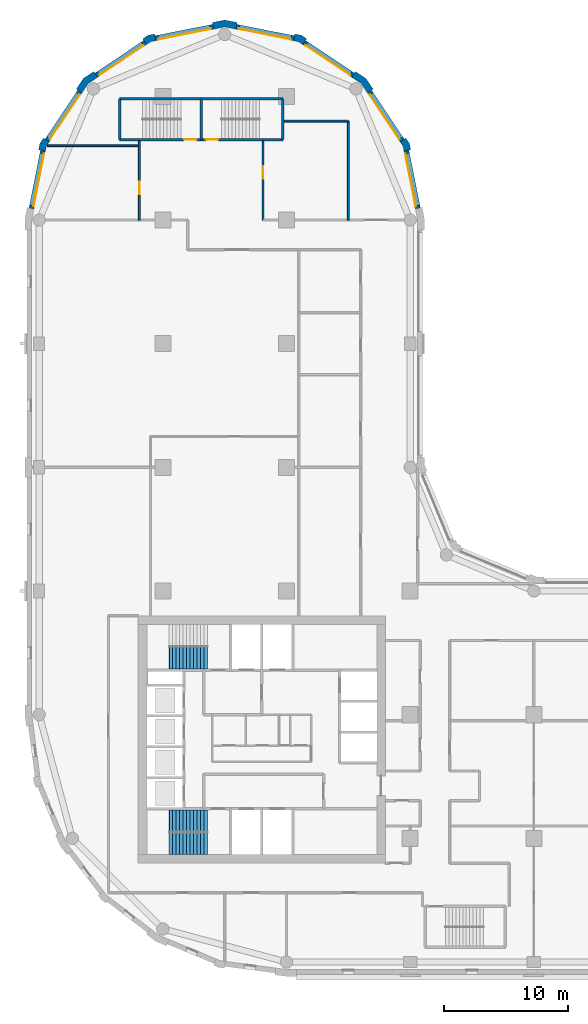
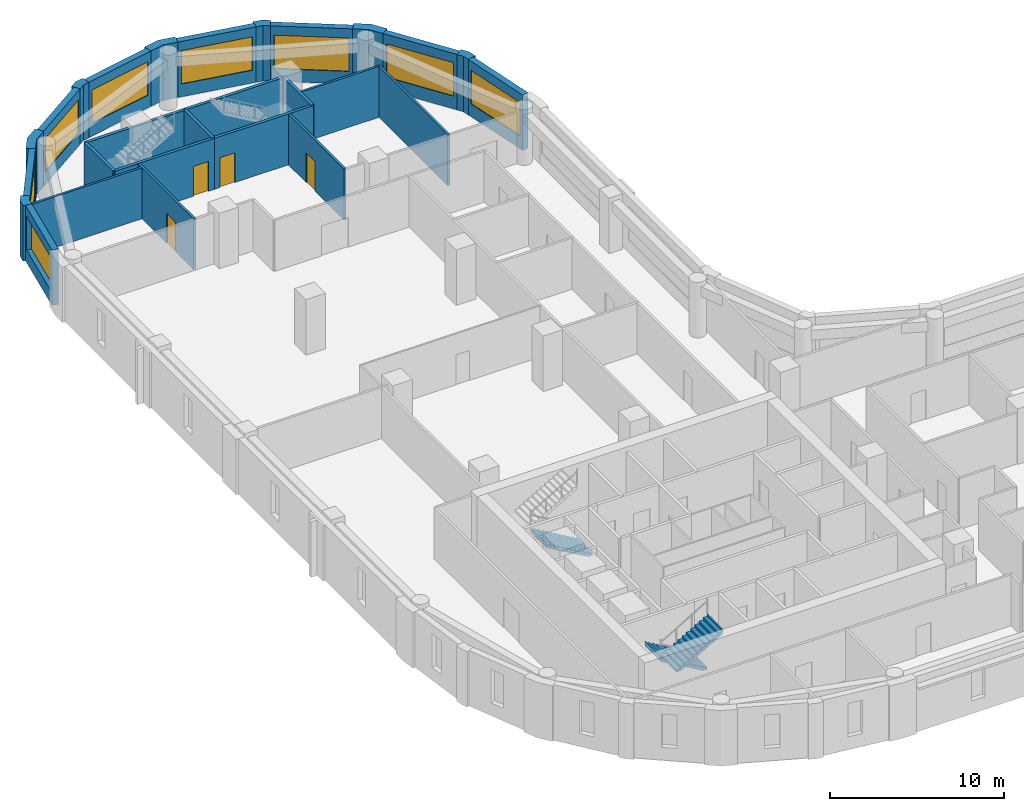
# One storey, part 6 of 9: 27 walls, 8 windows, 4 doors, 3 stair flights, 12 openings, 2 elements without a shape of their own.
"""IFC4 building model written with IfcOpenShell, lengths in metres."""

from ifc_helpers import new_model, si_unit, direction, frame, frame_2d, origin, place, context, subcontext, project, spatial, polyline, rectangle, outline, extrude, material, layer, layer_set, type_object, element, fill, aggregate, save


model = new_model("IFC4")

# Units and contexts
model_context = context("Model", 3, precision=1e-05, world=origin(), true_north=direction((0.0, 1.0)))
body_context = subcontext(model_context, "Body", "Model", "MODEL_VIEW")
ifc_project = project(units=[si_unit("LENGTHUNIT", "METRE"), si_unit("AREAUNIT", "SQUARE_METRE"), si_unit("VOLUMEUNIT", "CUBIC_METRE"), si_unit("PLANEANGLEUNIT", "RADIAN"), si_unit("MASSUNIT", "GRAM", prefix="KILO")], contexts=[model_context])

# Site, building, storey
site_placement = place(None, origin())
site = spatial("IfcSite", under=ifc_project, at=site_placement, CompositionType="ELEMENT")
building_placement = place(site_placement, origin())
building = spatial("IfcBuilding", under=site, at=building_placement, Name="Qaws Garden Tower", CompositionType="ELEMENT")
storey_placement = place(building_placement, frame((0.0, 0.0, 159.0)))
storey = spatial("IfcBuildingStorey", under=building, at=storey_placement, Name="L38", CompositionType="ELEMENT", Elevation=159.0)

# Wall, opening, window
ifc_material_1 = material(Name="Clay facing brick masonry", Category="masonry")
ifc_layer_1 = layer(ifc_material_1, 0.39990234375)
ifc_layer_set_1 = layer_set([ifc_layer_1], Name="Clay facing brick masonry")
wall_type_1 = type_object("IfcWallType", Name="Brick infill wall 400", PredefinedType="SOLIDWALL", material=ifc_layer_set_1)
wall_1_placement = place(storey_placement, frame((30.628662109375, 60.940673828125, 0.0), z_axis=(0.0, 0.0, 1.0), x_axis=(-0.195098533057, 0.98078364709, 0.0)))
wall_1 = element("IfcWall", 1, at=wall_1_placement, inside=storey, type_object=wall_type_1, Name="E-L38-infill-13", PredefinedType="SOLIDWALL", context=body_context, shape_type="SweptSolid", body=[
    extrude(rectangle(XDim=4.752685546875, YDim=0.39990234375, at=frame_2d((2.37646484375, 0.0))), origin(), (0.0, 0.0, 1.0), 3.89990234375),
])
opening_1_placement = place(wall_1_placement, frame((0.226318359375, 0.0, 0.89990234375)))
opening_1 = element("IfcOpeningElement", 2, at=opening_1_placement, cuts=wall_1, Name="Opening W06", PredefinedType="OPENING", context=body_context, shape_type="SweptSolid", body=[
    extrude(rectangle(XDim=4.300048828125, YDim=2.35009765625, at=frame_2d((2.14990234375, 1.175048828125))), frame((0.0, 0.2099609375, 0.0), z_axis=(0.0, -1.0, 0.0), x_axis=(1.0, 0.0, 0.0)), (0.0, 0.0, 1.0), 0.419921875),
])
ifc_material_2 = material(Name="Aluminium framed window, clear glazing", Category="aluminium")
window_type = type_object("IfcWindowType", Name="Ribbon window 4300 x 2350", PartitioningType="DOUBLE_PANEL_VERTICAL", PredefinedType="WINDOW", material=ifc_material_2)
window_1_placement = place(opening_1_placement, origin())
window_1 = element("IfcWindow", 3, at=window_1_placement, inside=storey, type_object=window_type, Name="E-L38-window-13-0", OverallHeight=2.35009765625, OverallWidth=4.300048828125, PartitioningType="SINGLE_PANEL", PredefinedType="WINDOW", context=body_context, shape_type="SweptSolid", body=[
    extrude(rectangle(XDim=4.300048828125, YDim=2.35009765625, at=frame_2d((2.14990234375, 1.175048828125))), frame((0.0, 0.159912109375, 0.0), z_axis=(0.0, -1.0, 0.0), x_axis=(1.0, 0.0, 0.0)), (0.0, 0.0, 1.0), 0.06005859375),
])
fill(opening_1, window_1)

wall_2_placement = place(storey_placement, frame((29.356689453125, 66.43408203125, 0.0), z_axis=(0.0, 0.0, 1.0), x_axis=(-0.555541552266, 0.831488775454, 0.0)))
wall_2 = element("IfcWall", 4, at=wall_2_placement, inside=storey, type_object=wall_type_1, Name="E-L38-infill-14", PredefinedType="SOLIDWALL", context=body_context, shape_type="SweptSolid", body=[
    extrude(rectangle(XDim=4.752685546875, YDim=0.39990234375, at=frame_2d((2.37646484375, 0.0))), origin(), (0.0, 0.0, 1.0), 3.89990234375),
])
opening_2_placement = place(wall_2_placement, frame((0.226318359375, 0.0, 0.89990234375)))
opening_2 = element("IfcOpeningElement", 5, at=opening_2_placement, cuts=wall_2, Name="Opening W06", PredefinedType="OPENING", context=body_context, shape_type="SweptSolid", body=[
    extrude(rectangle(XDim=4.300048828125, YDim=2.35009765625, at=frame_2d((2.14990234375, 1.175048828125))), frame((0.0, 0.2099609375, 0.0), z_axis=(0.0, -1.0, 0.0), x_axis=(1.0, 0.0, 0.0)), (0.0, 0.0, 1.0), 0.419921875),
])
window_2_placement = place(opening_2_placement, origin())
window_2 = element("IfcWindow", 6, at=window_2_placement, inside=storey, type_object=window_type, Name="E-L38-window-14-0", OverallHeight=2.35009765625, OverallWidth=4.300048828125, PartitioningType="SINGLE_PANEL", PredefinedType="WINDOW", context=body_context, shape_type="SweptSolid", body=[
    extrude(rectangle(XDim=4.300048828125, YDim=2.35009765625, at=frame_2d((2.14990234375, 1.175048828125))), frame((0.0, 0.159912109375, 0.0), z_axis=(0.0, -1.0, 0.0), x_axis=(1.0, 0.0, 0.0)), (0.0, 0.0, 1.0), 0.06005859375),
])
fill(opening_2, window_2)

wall_3_placement = place(storey_placement, frame((25.385986328125, 71.71630859375, 0.0), z_axis=(0.0, 0.0, 1.0), x_axis=(-0.831488775454, 0.555541552266, 0.0)))
wall_3 = element("IfcWall", 7, at=wall_3_placement, inside=storey, type_object=wall_type_1, Name="E-L38-infill-15", PredefinedType="SOLIDWALL", context=body_context, shape_type="SweptSolid", body=[
    extrude(rectangle(XDim=4.752685546875, YDim=0.39990234375, at=frame_2d((2.37646484375, 0.0))), origin(), (0.0, 0.0, 1.0), 3.89990234375),
])
opening_3_placement = place(wall_3_placement, frame((0.226318359375, 0.0, 0.89990234375)))
opening_3 = element("IfcOpeningElement", 8, at=opening_3_placement, cuts=wall_3, Name="Opening W06", PredefinedType="OPENING", context=body_context, shape_type="SweptSolid", body=[
    extrude(rectangle(XDim=4.300048828125, YDim=2.35009765625, at=frame_2d((2.14990234375, 1.175048828125))), frame((0.0, 0.2099609375, 0.0), z_axis=(0.0, -1.0, 0.0), x_axis=(1.0, 0.0, 0.0)), (0.0, 0.0, 1.0), 0.419921875),
])
window_3_placement = place(opening_3_placement, origin())
window_3 = element("IfcWindow", 9, at=window_3_placement, inside=storey, type_object=window_type, Name="E-L38-window-15-0", OverallHeight=2.35009765625, OverallWidth=4.300048828125, PartitioningType="SINGLE_PANEL", PredefinedType="WINDOW", context=body_context, shape_type="SweptSolid", body=[
    extrude(rectangle(XDim=4.300048828125, YDim=2.35009765625, at=frame_2d((2.14990234375, 1.175048828125))), frame((0.0, 0.159912109375, 0.0), z_axis=(0.0, -1.0, 0.0), x_axis=(1.0, 0.0, 0.0)), (0.0, 0.0, 1.0), 0.06005859375),
])
fill(opening_3, window_3)

wall_4_placement = place(storey_placement, frame((20.60205078125, 74.701416015625, 0.0), z_axis=(0.0, 0.0, 1.0), x_axis=(-0.98078364709, 0.195098533057, 0.0)))
wall_4 = element("IfcWall", 10, at=wall_4_placement, inside=storey, type_object=wall_type_1, Name="E-L38-infill-16", PredefinedType="SOLIDWALL", context=body_context, shape_type="SweptSolid", body=[
    extrude(rectangle(XDim=4.752685546875, YDim=0.39990234375, at=frame_2d((2.37646484375, 0.0))), origin(), (0.0, 0.0, 1.0), 3.89990234375),
])
opening_4_placement = place(wall_4_placement, frame((0.226318359375, 0.0, 0.89990234375)))
opening_4 = element("IfcOpeningElement", 11, at=opening_4_placement, cuts=wall_4, Name="Opening W06", PredefinedType="OPENING", context=body_context, shape_type="SweptSolid", body=[
    extrude(rectangle(XDim=4.300048828125, YDim=2.35009765625, at=frame_2d((2.14990234375, 1.175048828125))), frame((0.0, 0.2099609375, 0.0), z_axis=(0.0, -1.0, 0.0), x_axis=(1.0, 0.0, 0.0)), (0.0, 0.0, 1.0), 0.419921875),
])
window_4_placement = place(opening_4_placement, origin())
window_4 = element("IfcWindow", 12, at=window_4_placement, inside=storey, type_object=window_type, Name="E-L38-window-16-0", OverallHeight=2.35009765625, OverallWidth=4.300048828125, PartitioningType="SINGLE_PANEL", PredefinedType="WINDOW", context=body_context, shape_type="SweptSolid", body=[
    extrude(rectangle(XDim=4.300048828125, YDim=2.35009765625, at=frame_2d((2.14990234375, 1.175048828125))), frame((0.0, 0.159912109375, 0.0), z_axis=(0.0, -1.0, 0.0), x_axis=(1.0, 0.0, 0.0)), (0.0, 0.0, 1.0), 0.06005859375),
])
fill(opening_4, window_4)

wall_5_placement = place(storey_placement, frame((14.059326171875, 75.628662109375, 0.0), z_axis=(0.0, 0.0, 1.0), x_axis=(-0.98078364709, -0.195098533057, 0.0)))
wall_5 = element("IfcWall", 13, at=wall_5_placement, inside=storey, type_object=wall_type_1, Name="E-L38-infill-17", PredefinedType="SOLIDWALL", context=body_context, shape_type="SweptSolid", body=[
    extrude(rectangle(XDim=4.752685546875, YDim=0.39990234375, at=frame_2d((2.37646484375, 0.0))), origin(), (0.0, 0.0, 1.0), 3.89990234375),
])
opening_5_placement = place(wall_5_placement, frame((0.226318359375, 0.0, 0.89990234375)))
opening_5 = element("IfcOpeningElement", 14, at=opening_5_placement, cuts=wall_5, Name="Opening W06", PredefinedType="OPENING", context=body_context, shape_type="SweptSolid", body=[
    extrude(rectangle(XDim=4.300048828125, YDim=2.35009765625, at=frame_2d((2.14990234375, 1.175048828125))), frame((0.0, 0.2099609375, 0.0), z_axis=(0.0, -1.0, 0.0), x_axis=(1.0, 0.0, 0.0)), (0.0, 0.0, 1.0), 0.419921875),
])
window_5_placement = place(opening_5_placement, origin())
window_5 = element("IfcWindow", 15, at=window_5_placement, inside=storey, type_object=window_type, Name="E-L38-window-17-0", OverallHeight=2.35009765625, OverallWidth=4.300048828125, PartitioningType="SINGLE_PANEL", PredefinedType="WINDOW", context=body_context, shape_type="SweptSolid", body=[
    extrude(rectangle(XDim=4.300048828125, YDim=2.35009765625, at=frame_2d((2.14990234375, 1.175048828125))), frame((0.0, 0.159912109375, 0.0), z_axis=(0.0, -1.0, 0.0), x_axis=(1.0, 0.0, 0.0)), (0.0, 0.0, 1.0), 0.06005859375),
])
fill(opening_5, window_5)

wall_6_placement = place(storey_placement, frame((8.56591796875, 74.356689453125, 0.0), z_axis=(0.0, 0.0, 1.0), x_axis=(-0.831488775454, -0.555541552266, 0.0)))
wall_6 = element("IfcWall", 16, at=wall_6_placement, inside=storey, type_object=wall_type_1, Name="E-L38-infill-18", PredefinedType="SOLIDWALL", context=body_context, shape_type="SweptSolid", body=[
    extrude(rectangle(XDim=4.752685546875, YDim=0.39990234375, at=frame_2d((2.37646484375, 0.0))), origin(), (0.0, 0.0, 1.0), 3.89990234375),
])
opening_6_placement = place(wall_6_placement, frame((0.226318359375, 0.0, 0.89990234375)))
opening_6 = element("IfcOpeningElement", 17, at=opening_6_placement, cuts=wall_6, Name="Opening W06", PredefinedType="OPENING", context=body_context, shape_type="SweptSolid", body=[
    extrude(rectangle(XDim=4.300048828125, YDim=2.35009765625, at=frame_2d((2.14990234375, 1.175048828125))), frame((0.0, 0.2099609375, 0.0), z_axis=(0.0, -1.0, 0.0), x_axis=(1.0, 0.0, 0.0)), (0.0, 0.0, 1.0), 0.419921875),
])
window_6_placement = place(opening_6_placement, origin())
window_6 = element("IfcWindow", 18, at=window_6_placement, inside=storey, type_object=window_type, Name="E-L38-window-18-0", OverallHeight=2.35009765625, OverallWidth=4.300048828125, PartitioningType="SINGLE_PANEL", PredefinedType="WINDOW", context=body_context, shape_type="SweptSolid", body=[
    extrude(rectangle(XDim=4.300048828125, YDim=2.35009765625, at=frame_2d((2.14990234375, 1.175048828125))), frame((0.0, 0.159912109375, 0.0), z_axis=(0.0, -1.0, 0.0), x_axis=(1.0, 0.0, 0.0)), (0.0, 0.0, 1.0), 0.06005859375),
])
fill(opening_6, window_6)

wall_7_placement = place(storey_placement, frame((3.28369140625, 70.385986328125, 0.0), z_axis=(0.0, 0.0, 1.0), x_axis=(-0.555541552266, -0.831488775454, 0.0)))
wall_7 = element("IfcWall", 19, at=wall_7_placement, inside=storey, type_object=wall_type_1, Name="E-L38-infill-19", PredefinedType="SOLIDWALL", context=body_context, shape_type="SweptSolid", body=[
    extrude(rectangle(XDim=4.752685546875, YDim=0.39990234375, at=frame_2d((2.37646484375, 0.0))), origin(), (0.0, 0.0, 1.0), 3.89990234375),
])
opening_7_placement = place(wall_7_placement, frame((0.226318359375, 0.0, 0.89990234375)))
opening_7 = element("IfcOpeningElement", 20, at=opening_7_placement, cuts=wall_7, Name="Opening W06", PredefinedType="OPENING", context=body_context, shape_type="SweptSolid", body=[
    extrude(rectangle(XDim=4.300048828125, YDim=2.35009765625, at=frame_2d((2.14990234375, 1.175048828125))), frame((0.0, 0.2099609375, 0.0), z_axis=(0.0, -1.0, 0.0), x_axis=(1.0, 0.0, 0.0)), (0.0, 0.0, 1.0), 0.419921875),
])
window_7_placement = place(opening_7_placement, origin())
window_7 = element("IfcWindow", 21, at=window_7_placement, inside=storey, type_object=window_type, Name="E-L38-window-19-0", OverallHeight=2.35009765625, OverallWidth=4.300048828125, PartitioningType="SINGLE_PANEL", PredefinedType="WINDOW", context=body_context, shape_type="SweptSolid", body=[
    extrude(rectangle(XDim=4.300048828125, YDim=2.35009765625, at=frame_2d((2.14990234375, 1.175048828125))), frame((0.0, 0.159912109375, 0.0), z_axis=(0.0, -1.0, 0.0), x_axis=(1.0, 0.0, 0.0)), (0.0, 0.0, 1.0), 0.06005859375),
])
fill(opening_7, window_7)

wall_8_placement = place(storey_placement, frame((0.298583984375, 65.60205078125, 0.0), z_axis=(0.0, 0.0, 1.0), x_axis=(-0.195098533057, -0.98078364709, 0.0)))
wall_8 = element("IfcWall", 22, at=wall_8_placement, inside=storey, type_object=wall_type_1, Name="E-L38-infill-20", PredefinedType="SOLIDWALL", context=body_context, shape_type="SweptSolid", body=[
    extrude(rectangle(XDim=4.752685546875, YDim=0.39990234375, at=frame_2d((2.37646484375, 0.0))), origin(), (0.0, 0.0, 1.0), 3.89990234375),
])
opening_8_placement = place(wall_8_placement, frame((0.226318359375, 0.0, 0.89990234375)))
opening_8 = element("IfcOpeningElement", 23, at=opening_8_placement, cuts=wall_8, Name="Opening W06", PredefinedType="OPENING", context=body_context, shape_type="SweptSolid", body=[
    extrude(rectangle(XDim=4.300048828125, YDim=2.35009765625, at=frame_2d((2.14990234375, 1.175048828125))), frame((0.0, 0.2099609375, 0.0), z_axis=(0.0, -1.0, 0.0), x_axis=(1.0, 0.0, 0.0)), (0.0, 0.0, 1.0), 0.419921875),
])
window_8_placement = place(opening_8_placement, origin())
window_8 = element("IfcWindow", 24, at=window_8_placement, inside=storey, type_object=window_type, Name="E-L38-window-20-0", OverallHeight=2.35009765625, OverallWidth=4.300048828125, PartitioningType="SINGLE_PANEL", PredefinedType="WINDOW", context=body_context, shape_type="SweptSolid", body=[
    extrude(rectangle(XDim=4.300048828125, YDim=2.35009765625, at=frame_2d((2.14990234375, 1.175048828125))), frame((0.0, 0.159912109375, 0.0), z_axis=(0.0, -1.0, 0.0), x_axis=(1.0, 0.0, 0.0)), (0.0, 0.0, 1.0), 0.06005859375),
])
fill(opening_8, window_8)

# Walls
ifc_material_3 = material(Name="Clay facing brick masonry", Category="masonry")
ifc_layer_2 = layer(ifc_material_3, 0.550048828125)
ifc_layer_set_2 = layer_set([ifc_layer_2], Name="Clay facing brick masonry")
wall_type_2 = type_object("IfcWallType", Name="Brick kink pier 550 x 600", PredefinedType="SOLIDWALL", material=ifc_layer_set_2)
placement = place(storey_placement, origin())
element("IfcWall", 25, at=placement, inside=storey, type_object=wall_type_2, Name="E-L38-pier-14", PredefinedType="SOLIDWALL", context=body_context, shape_type="SweptSolid", body=[
    extrude(outline(polyline([(29.8974609375, 65.64111328125), (30.044677734375, 65.67041015625), (29.94140625, 66.18896484375), (29.647705078125, 66.628662109375), (29.52294921875, 66.545166015625), (29.1904296875, 66.322998046875), (29.42333984375, 65.974365234375), (29.505126953125, 65.56298828125), (29.8974609375, 65.64111328125)])), origin(), (0.0, 0.0, 1.0), 3.89990234375),
])
element("IfcWall", 26, at=placement, inside=storey, type_object=wall_type_2, Name="E-L38-pier-16", PredefinedType="SOLIDWALL", context=body_context, shape_type="SweptSolid", body=[
    extrude(outline(polyline([(21.545166015625, 74.52294921875), (21.628662109375, 74.647705078125), (21.18896484375, 74.94140625), (20.67041015625, 75.044677734375), (20.64111328125, 74.8974609375), (20.56298828125, 74.505126953125), (20.974365234375, 74.42333984375), (21.322998046875, 74.1904296875), (21.545166015625, 74.52294921875)])), origin(), (0.0, 0.0, 1.0), 3.89990234375),
])
element("IfcWall", 27, at=placement, inside=storey, type_object=wall_type_2, Name="E-L38-pier-18", PredefinedType="SOLIDWALL", context=body_context, shape_type="SweptSolid", body=[
    extrude(outline(polyline([(9.35888671875, 74.8974609375), (9.32958984375, 75.044677734375), (8.81103515625, 74.94140625), (8.371337890625, 74.647705078125), (8.454833984375, 74.52294921875), (8.677001953125, 74.1904296875), (9.025634765625, 74.42333984375), (9.43701171875, 74.505126953125), (9.35888671875, 74.8974609375)])), origin(), (0.0, 0.0, 1.0), 3.89990234375),
])
element("IfcWall", 28, at=placement, inside=storey, type_object=wall_type_2, Name="E-L38-pier-20", PredefinedType="SOLIDWALL", context=body_context, shape_type="SweptSolid", body=[
    extrude(outline(polyline([(0.47705078125, 66.545166015625), (0.352294921875, 66.628662109375), (0.05859375, 66.18896484375), (-0.044677734375, 65.67041015625), (0.1025390625, 65.64111328125), (0.494873046875, 65.56298828125), (0.57666015625, 65.974365234375), (0.8095703125, 66.322998046875), (0.47705078125, 66.545166015625)])), origin(), (0.0, 0.0, 1.0), 3.89990234375),
])
ifc_material_4 = material(Name="Clay facing brick masonry", Category="masonry")
ifc_layer_3 = layer(ifc_material_4, 0.550048828125)
ifc_layer_set_3 = layer_set([ifc_layer_3], Name="Clay facing brick masonry")
wall_type_3 = type_object("IfcWallType", Name="Brick pier 550 x 1600", PredefinedType="SOLIDWALL", material=ifc_layer_set_3)
element("IfcWall", 29, at=placement, inside=storey, type_object=wall_type_3, Name="E-L38-pier-15", PredefinedType="SOLIDWALL", context=body_context, shape_type="SweptSolid", body=[
    extrude(outline(polyline([(26.882568359375, 70.4970703125), (27.00732421875, 70.580322265625), (26.435791015625, 71.435791015625), (25.580322265625, 72.00732421875), (25.4970703125, 71.882568359375), (25.274658203125, 71.550048828125), (26.0390625, 71.0390625), (26.550048828125, 70.274658203125), (26.882568359375, 70.4970703125)])), origin(), (0.0, 0.0, 1.0), 3.89990234375),
])
element("IfcWall", 30, at=placement, inside=storey, type_object=wall_type_3, Name="E-L38-pier-17", PredefinedType="SOLIDWALL", context=body_context, shape_type="SweptSolid", body=[
    extrude(outline(polyline([(15.979736328125, 75.82470703125), (16.009033203125, 75.971923828125), (15.0, 76.172607421875), (13.990966796875, 75.971923828125), (14.020263671875, 75.82470703125), (14.098388671875, 75.432373046875), (15.0, 75.61181640625), (15.901611328125, 75.432373046875), (15.979736328125, 75.82470703125)])), origin(), (0.0, 0.0, 1.0), 3.89990234375),
])
element("IfcWall", 31, at=placement, inside=storey, type_object=wall_type_3, Name="E-L38-pier-19", PredefinedType="SOLIDWALL", context=body_context, shape_type="SweptSolid", body=[
    extrude(outline(polyline([(4.5029296875, 71.882568359375), (4.419677734375, 72.00732421875), (3.564208984375, 71.435791015625), (2.99267578125, 70.580322265625), (3.117431640625, 70.4970703125), (3.449951171875, 70.274658203125), (3.9609375, 71.0390625), (4.725341796875, 71.550048828125), (4.5029296875, 71.882568359375)])), origin(), (0.0, 0.0, 1.0), 3.89990234375),
])

# Wall, opening, door
ifc_material_5 = material(Name="Concrete C70", Category="concrete")
ifc_layer_4 = layer(ifc_material_5, 0.199951171875)
ifc_layer_set_4 = layer_set([ifc_layer_4], Name="Concrete C70")
wall_type_4 = type_object("IfcWallType", Name="Core shaft wall 200 C70", PredefinedType="SHEAR", material=ifc_layer_set_4)
wall_16_placement = place(storey_placement, frame((6.5, 66.5, 0.0), z_axis=(0.0, 0.0, 1.0), x_axis=(1.0, 0.0, 0.0)))
wall_16 = element("IfcWall", 32, at=wall_16_placement, inside=storey, type_object=wall_type_4, Name="Shaft wall", PredefinedType="SHEAR", context=body_context, shape_type="SweptSolid", body=[
    extrude(rectangle(XDim=6.60009765625, YDim=0.199951171875, at=frame_2d((3.300048828125, 0.0))), origin(), (0.0, 0.0, 1.0), 3.580078125),
])
opening_9_placement = place(wall_16_placement, frame((5.22509765625, 0.0, 0.0)))
opening_9 = element("IfcOpeningElement", 33, at=opening_9_placement, cuts=wall_16, Name="Opening SD13", PredefinedType="OPENING", context=body_context, shape_type="SweptSolid", body=[
    extrude(rectangle(XDim=1.0, YDim=2.10009765625, at=frame_2d((0.5, 1.050048828125))), frame((0.0, 0.10986328125, 0.0), z_axis=(0.0, -1.0, 0.0), x_axis=(1.0, 0.0, 0.0)), (0.0, 0.0, 1.0), 0.219970703125),
])
ifc_material_6 = material(Name="Steel S235", Category="steel")
door_type_1 = type_object("IfcDoorType", Name="Stair door 1000x2100", OperationType="SINGLE_SWING_RIGHT", PredefinedType="DOOR", material=ifc_material_6)
door_1_placement = place(opening_9_placement, origin())
door_1 = element("IfcDoor", 34, at=door_1_placement, inside=storey, type_object=door_type_1, Name="Stair 6 door", OperationType="SINGLE_SWING_RIGHT", OverallHeight=2.10009765625, OverallWidth=1.0, PredefinedType="DOOR", context=body_context, shape_type="SweptSolid", body=[
    extrude(rectangle(XDim=1.0, YDim=2.10009765625, at=frame_2d((0.5, 1.050048828125))), frame((0.0, 0.02490234375, 0.0), z_axis=(0.0, -1.0, 0.0), x_axis=(1.0, 0.0, 0.0)), (0.0, 0.0, 1.0), 0.050048828125),
])
fill(opening_9, door_1)

wall_17_placement = place(storey_placement, frame((13.10009765625, 66.5, 0.0), z_axis=(0.0, 0.0, 1.0), x_axis=(1.0, 0.0, 0.0)))
wall_17 = element("IfcWall", 35, at=wall_17_placement, inside=storey, type_object=wall_type_4, Name="Shaft wall", PredefinedType="SHEAR", context=body_context, shape_type="SweptSolid", body=[
    extrude(rectangle(XDim=6.599853515625, YDim=0.199951171875, at=frame_2d((3.2998046875, 0.0))), origin(), (0.0, 0.0, 1.0), 3.580078125),
])
opening_10_placement = place(wall_17_placement, frame((0.375, 0.0, 0.0)))
opening_10 = element("IfcOpeningElement", 36, at=opening_10_placement, cuts=wall_17, Name="Opening SD14", PredefinedType="OPENING", context=body_context, shape_type="SweptSolid", body=[
    extrude(rectangle(XDim=1.0, YDim=2.10009765625, at=frame_2d((0.5, 1.050048828125))), frame((0.0, 0.10986328125, 0.0), z_axis=(0.0, -1.0, 0.0), x_axis=(1.0, 0.0, 0.0)), (0.0, 0.0, 1.0), 0.219970703125),
])
door_2_placement = place(opening_10_placement, origin())
door_2 = element("IfcDoor", 37, at=door_2_placement, inside=storey, type_object=door_type_1, Name="Stair 7 door", OperationType="SINGLE_SWING_LEFT", OverallHeight=2.10009765625, OverallWidth=1.0, PredefinedType="DOOR", context=body_context, shape_type="SweptSolid", body=[
    extrude(rectangle(XDim=1.0, YDim=2.10009765625, at=frame_2d((0.5, 1.050048828125))), frame((0.0, 0.02490234375, 0.0), z_axis=(0.0, -1.0, 0.0), x_axis=(1.0, 0.0, 0.0)), (0.0, 0.0, 1.0), 0.050048828125),
])
fill(opening_10, door_2)

# Walls
wall_18_placement = place(storey_placement, frame((6.5, 69.800048828125, 0.0), z_axis=(0.0, 0.0, 1.0), x_axis=(1.0, 0.0, 0.0)))
element("IfcWall", 38, at=wall_18_placement, inside=storey, type_object=wall_type_4, Name="Shaft wall", PredefinedType="SHEAR", context=body_context, shape_type="SweptSolid", body=[
    extrude(rectangle(XDim=6.60009765625, YDim=0.199951171875, at=frame_2d((3.300048828125, 0.0))), origin(), (0.0, 0.0, 1.0), 3.580078125),
])
wall_19_placement = place(storey_placement, frame((13.10009765625, 69.800048828125, 0.0), z_axis=(0.0, 0.0, 1.0), x_axis=(1.0, 0.0, 0.0)))
element("IfcWall", 39, at=wall_19_placement, inside=storey, type_object=wall_type_4, Name="Shaft wall", PredefinedType="SHEAR", context=body_context, shape_type="SweptSolid", body=[
    extrude(rectangle(XDim=6.599853515625, YDim=0.199951171875, at=frame_2d((3.2998046875, 0.0))), origin(), (0.0, 0.0, 1.0), 3.580078125),
])
for number, where, z_axis, x_axis, name in (
    (40, (6.5, 66.5, 0.0), (0.0, 0.0, 1.0), (0.0, 1.0, 0.0), "Shaft wall"),
    (41, (13.10009765625, 66.5, 0.0), (0.0, 0.0, 1.0), (0.0, 1.0, 0.0), "Shaft wall"),
    (42, (19.699951171875, 66.5, 0.0), (0.0, 0.0, 1.0), (0.0, 1.0, 0.0), "Shaft wall"),
):
    element("IfcWall", number, at=place(storey_placement, frame(where, z_axis=z_axis, x_axis=x_axis)), inside=storey, type_object=wall_type_4, Name=name, PredefinedType="SHEAR", context=body_context, shape_type="SweptSolid", body=[
        extrude(rectangle(XDim=3.300048828125, YDim=0.199951171875, at=frame_2d((1.64990234375, 0.0))), origin(), (0.0, 0.0, 1.0), 3.580078125),
    ])

# Wall, opening, door
ifc_material_7 = material(Name="Gypsum board partition")
ifc_layer_5 = layer(ifc_material_7, 0.14990234375)
ifc_layer_set_5 = layer_set([ifc_layer_5], Name="Gypsum board partition")
wall_type_5 = type_object("IfcWallType", Name="PARTITION 150 EI 60", PredefinedType="PARTITIONING", material=ifc_layer_set_5)
wall_20_placement = place(storey_placement, frame((8.10009765625, 60.0, 0.0), z_axis=(0.0, 0.0, 1.0), x_axis=(0.0, 1.0, 0.0)))
wall_20 = element("IfcWall", 43, at=wall_20_placement, inside=storey, type_object=wall_type_5, Name="O-L38-wall-007", PredefinedType="PARTITIONING", context=body_context, shape_type="SweptSolid", body=[
    extrude(rectangle(XDim=6.39990234375, YDim=0.14990234375, at=frame_2d((3.199951171875, 0.0))), origin(), (0.0, 0.0, 1.0), 3.580078125),
])
opening_11_placement = place(wall_20_placement, frame((2.10009765625, 0.0, 0.0)))
opening_11 = element("IfcOpeningElement", 44, at=opening_11_placement, cuts=wall_20, Name="Opening B312", PredefinedType="OPENING", context=body_context, shape_type="SweptSolid", body=[
    extrude(rectangle(XDim=1.0, YDim=2.10009765625, at=frame_2d((0.5, 1.050048828125))), frame((0.0, 0.0849609375, 0.0), z_axis=(0.0, -1.0, 0.0), x_axis=(1.0, 0.0, 0.0)), (0.0, 0.0, 1.0), 0.169921875),
])
ifc_material_8 = material(Name="Timber door leaf", Category="wood")
door_type_2 = type_object("IfcDoorType", Name="TENANCY ENTRANCE DOOR 1000 X 2100", OperationType="SINGLE_SWING_LEFT", PredefinedType="DOOR", material=ifc_material_8)
door_3_placement = place(opening_11_placement, origin())
door_3 = element("IfcDoor", 45, at=door_3_placement, inside=storey, type_object=door_type_2, Name="O-L38-door-012", OperationType="SINGLE_SWING_LEFT", OverallHeight=2.10009765625, OverallWidth=1.0, PredefinedType="DOOR", context=body_context, shape_type="SweptSolid", body=[
    extrude(rectangle(XDim=1.0, YDim=2.10009765625, at=frame_2d((0.5, 1.050048828125))), frame((0.0, 0.02490234375, 0.0), z_axis=(0.0, -1.0, 0.0), x_axis=(1.0, 0.0, 0.0)), (0.0, 0.0, 1.0), 0.050048828125),
])
fill(opening_11, door_3)

wall_21_placement = place(storey_placement, frame((18.10009765625, 60.0, 0.0), z_axis=(0.0, 0.0, 1.0), x_axis=(0.0, 1.0, 0.0)))
wall_21 = element("IfcWall", 46, at=wall_21_placement, inside=storey, type_object=wall_type_5, Name="O-L38-wall-011", PredefinedType="PARTITIONING", context=body_context, shape_type="SweptSolid", body=[
    extrude(rectangle(XDim=6.39990234375, YDim=0.14990234375, at=frame_2d((3.199951171875, 0.0))), origin(), (0.0, 0.0, 1.0), 3.580078125),
])
opening_12_placement = place(wall_21_placement, frame((3.35009765625, 0.0, 0.0)))
opening_12 = element("IfcOpeningElement", 47, at=opening_12_placement, cuts=wall_21, Name="Opening B313", PredefinedType="OPENING", context=body_context, shape_type="SweptSolid", body=[
    extrude(rectangle(XDim=1.0, YDim=2.10009765625, at=frame_2d((0.5, 1.050048828125))), frame((0.0, 0.0849609375, 0.0), z_axis=(0.0, -1.0, 0.0), x_axis=(1.0, 0.0, 0.0)), (0.0, 0.0, 1.0), 0.169921875),
])
door_4_placement = place(opening_12_placement, frame((1.0, 0.0, 0.0), z_axis=(0.0, 0.0, 1.0), x_axis=(-1.0, 0.0, 0.0)))
door_4 = element("IfcDoor", 48, at=door_4_placement, inside=storey, type_object=door_type_2, Name="O-L38-door-013", OperationType="SINGLE_SWING_RIGHT", OverallHeight=2.10009765625, OverallWidth=1.0, PredefinedType="DOOR", context=body_context, shape_type="SweptSolid", body=[
    extrude(rectangle(XDim=1.0, YDim=2.10009765625, at=frame_2d((0.5, 1.050048828125))), frame((0.0, 0.02490234375, 0.0), z_axis=(0.0, -1.0, 0.0), x_axis=(1.0, 0.0, 0.0)), (0.0, 0.0, 1.0), 0.050048828125),
])
fill(opening_12, door_4)

# Walls
wall_22_placement = place(storey_placement, frame((25.0, 60.0, 0.0), z_axis=(0.0, 0.0, 1.0), x_axis=(0.0, 1.0, 0.0)))
element("IfcWall", 49, at=wall_22_placement, inside=storey, type_object=wall_type_5, Name="O-L38-wall-014", PredefinedType="PARTITIONING", context=body_context, shape_type="SweptSolid", body=[
    extrude(rectangle(XDim=8.0, YDim=0.14990234375, at=frame_2d((4.0, 0.0))), origin(), (0.0, 0.0, 1.0), 3.580078125),
])
wall_23_placement = place(storey_placement, frame((0.643798828125, 66.0, 0.0), z_axis=(0.0, 0.0, 1.0), x_axis=(1.0, 0.0, 0.0)))
element("IfcWall", 50, at=wall_23_placement, inside=storey, type_object=wall_type_5, Name="O-L38-wall-055", PredefinedType="PARTITIONING", context=body_context, shape_type="SweptSolid", body=[
    extrude(rectangle(XDim=7.456298828125, YDim=0.14990234375, at=frame_2d((3.72802734375, 0.0))), origin(), (0.0, 0.0, 1.0), 3.580078125),
])
wall_24_placement = place(storey_placement, frame((19.800048828125, 68.0, 0.0), z_axis=(0.0, 0.0, 1.0), x_axis=(1.0, 0.0, 0.0)))
element("IfcWall", 51, at=wall_24_placement, inside=storey, type_object=wall_type_5, Name="O-L38-wall-056", PredefinedType="PARTITIONING", context=body_context, shape_type="SweptSolid", body=[
    extrude(rectangle(XDim=5.199951171875, YDim=0.14990234375, at=frame_2d((2.60009765625, 0.0))), origin(), (0.0, 0.0, 1.0), 3.580078125),
])

# Stair, stair flights
ifc_material_9 = material(Name="Concrete C40", Category="concrete")
stair_type = type_object("IfcStairType", Name="Exit stair 1500", PredefinedType="HALF_TURN_STAIR", material=ifc_material_9)
stair_1 = element("IfcStair", 52, at=placement, inside=storey, type_object=stair_type, Name="Stair 1", PredefinedType="HALF_TURN_STAIR")
ifc_material_10 = material(Name="Concrete C40", Category="concrete")
stair_flight_type = type_object("IfcStairFlightType", Name="Stair flight 1500", PredefinedType="STRAIGHT", material=ifc_material_10)
stair_flight_1_placement = place(storey_placement, frame((13.60009765625, 11.39990234375, 0.0), z_axis=(0.0, 0.0, 1.0), x_axis=(-1.0, 0.0, 0.0)))
stair_flight_1 = element("IfcStairFlight", 53, at=stair_flight_1_placement, type_object=stair_flight_type, Name="ST1 flight 1", NumberOfRisers=12, NumberOfTreads=11, PredefinedType="STRAIGHT", RiserHeight=0.1625, TreadLength=0.28, context=body_context, shape_type="SweptSolid", body=[
    extrude(outline(polyline([(-0.0029296875, 0.0), (-0.0029296875, 0.16259765625), (0.0, 0.16259765625), (0.280029296875, 0.16259765625), (0.280029296875, 0.324951171875), (0.56005859375, 0.324951171875), (0.56005859375, 0.487548828125), (0.840087890625, 0.487548828125), (0.840087890625, 0.64990234375), (1.1201171875, 0.64990234375), (1.1201171875, 0.8125), (1.39990234375, 0.8125), (1.39990234375, 0.97509765625), (1.679931640625, 0.97509765625), (1.679931640625, 1.137451171875), (1.9599609375, 1.137451171875), (1.9599609375, 1.300048828125), (2.239990234375, 1.300048828125), (2.239990234375, 1.46240234375), (2.52001953125, 1.46240234375), (2.52001953125, 1.625), (2.800048828125, 1.625), (2.800048828125, 1.78759765625), (3.080078125, 1.78759765625), (3.080078125, 1.949951171875), (3.0830078125, 1.949951171875), (3.0830078125, 1.6142578125), (3.080078125, 1.6142578125), (0.298583984375, 0.0), (-0.0029296875, 0.0)])), frame((0.0, 0.89990234375, 0.0), z_axis=(0.0, -1.0, 0.0), x_axis=(1.0, 0.0, 0.0)), (0.0, 0.0, 1.0), 1.800048828125),
])
stair_flight_2_placement = place(storey_placement, frame((10.52001953125, 9.60009765625, 1.949951171875), z_axis=(0.0, 0.0, 1.0), x_axis=(1.0, 0.0, 0.0)))
stair_flight_2 = element("IfcStairFlight", 54, at=stair_flight_2_placement, type_object=stair_flight_type, Name="ST1 flight 2", NumberOfRisers=12, NumberOfTreads=11, PredefinedType="STRAIGHT", RiserHeight=0.1625, TreadLength=0.28, context=body_context, shape_type="SweptSolid", body=[
    extrude(outline(polyline([(-0.0029296875, 0.0), (-0.0029296875, 0.16259765625), (0.0, 0.16259765625), (0.280029296875, 0.16259765625), (0.280029296875, 0.324951171875), (0.56005859375, 0.324951171875), (0.56005859375, 0.487548828125), (0.840087890625, 0.487548828125), (0.840087890625, 0.64990234375), (1.1201171875, 0.64990234375), (1.1201171875, 0.8125), (1.39990234375, 0.8125), (1.39990234375, 0.97509765625), (1.679931640625, 0.97509765625), (1.679931640625, 1.137451171875), (1.9599609375, 1.137451171875), (1.9599609375, 1.300048828125), (2.239990234375, 1.300048828125), (2.239990234375, 1.46240234375), (2.52001953125, 1.46240234375), (2.52001953125, 1.625), (2.800048828125, 1.625), (2.800048828125, 1.78759765625), (3.080078125, 1.78759765625), (3.080078125, 1.949951171875), (3.0830078125, 1.949951171875), (3.0830078125, 1.6142578125), (3.080078125, 1.6142578125), (0.298583984375, 0.0), (-0.0029296875, 0.0)])), frame((0.0, 0.89990234375, 0.0), z_axis=(0.0, -1.0, 0.0), x_axis=(1.0, 0.0, 0.0)), (0.0, 0.0, 1.0), 1.800048828125),
])
aggregate(stair_1, [stair_flight_1, stair_flight_2])

# Stair, stair flight
stair_2 = element("IfcStair", 55, at=placement, inside=storey, type_object=stair_type, Name="Stair 4", PredefinedType="HALF_TURN_STAIR")
stair_flight_3_placement = place(storey_placement, frame((13.60009765625, 24.60009765625, 0.0), z_axis=(0.0, 0.0, 1.0), x_axis=(-1.0, 0.0, 0.0)))
stair_flight_3 = element("IfcStairFlight", 56, at=stair_flight_3_placement, type_object=stair_flight_type, Name="ST4 flight 1", NumberOfRisers=12, NumberOfTreads=11, PredefinedType="STRAIGHT", RiserHeight=0.1625, TreadLength=0.28, context=body_context, shape_type="SweptSolid", body=[
    extrude(outline(polyline([(-0.0029296875, 0.0), (-0.0029296875, 0.16259765625), (0.0, 0.16259765625), (0.280029296875, 0.16259765625), (0.280029296875, 0.324951171875), (0.56005859375, 0.324951171875), (0.56005859375, 0.487548828125), (0.840087890625, 0.487548828125), (0.840087890625, 0.64990234375), (1.1201171875, 0.64990234375), (1.1201171875, 0.8125), (1.39990234375, 0.8125), (1.39990234375, 0.97509765625), (1.679931640625, 0.97509765625), (1.679931640625, 1.137451171875), (1.9599609375, 1.137451171875), (1.9599609375, 1.300048828125), (2.239990234375, 1.300048828125), (2.239990234375, 1.46240234375), (2.52001953125, 1.46240234375), (2.52001953125, 1.625), (2.800048828125, 1.625), (2.800048828125, 1.78759765625), (3.080078125, 1.78759765625), (3.080078125, 1.949951171875), (3.0830078125, 1.949951171875), (3.0830078125, 1.6142578125), (3.080078125, 1.6142578125), (0.298583984375, 0.0), (-0.0029296875, 0.0)])), frame((0.0, 0.89501953125, 0.0), z_axis=(0.0, -1.0, 0.0), x_axis=(1.0, 0.0, 0.0)), (0.0, 0.0, 1.0), 1.7900390625),
])
aggregate(stair_2, [stair_flight_3])

save(model, "model.ifc")
